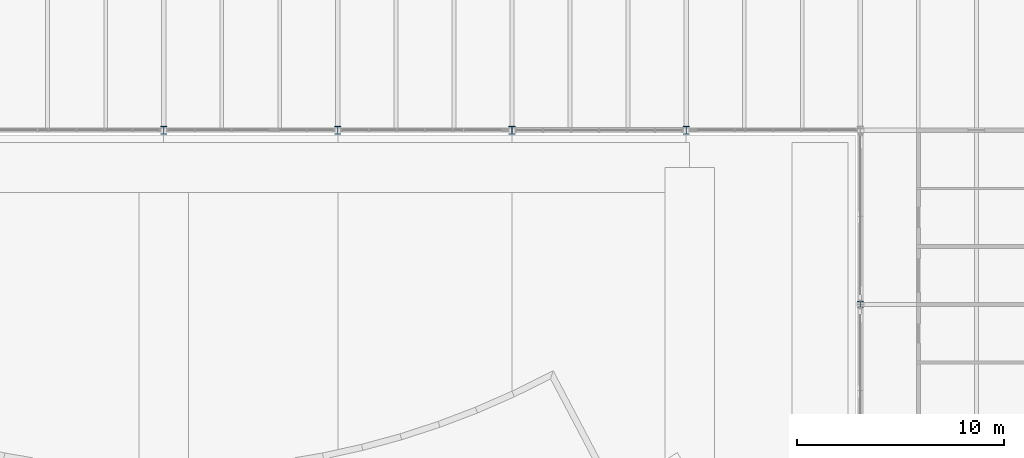
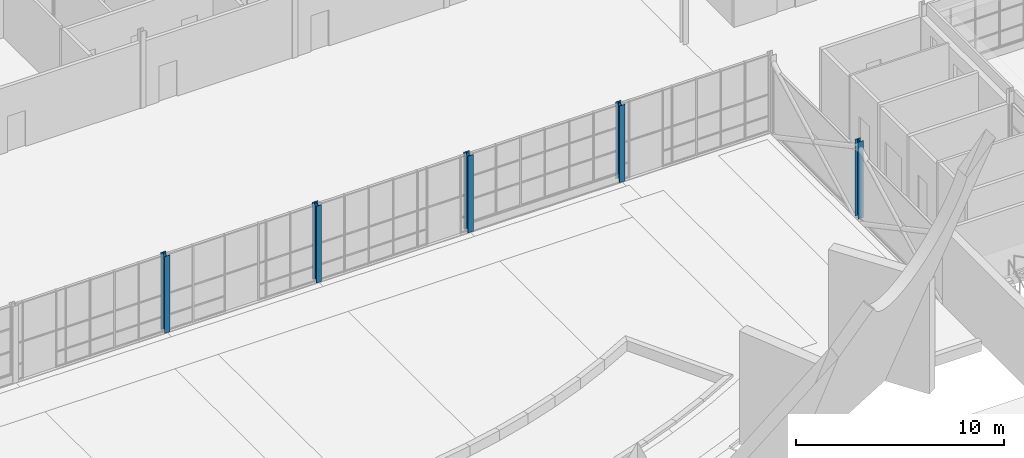
# One storey, part 11 of 116: 5 columns.
"""IFC4 building model written with IfcOpenShell, lengths in metres."""

from ifc_helpers import new_model, si_unit, direction, frame, origin, origin_2d, place, context, subcontext, project, spatial, i_section, extrude, material, material_profile, profile_set, type_object, element, save


model = new_model("IFC4")

# Units and contexts
model_context = context("Model", 3, precision=1e-05, world=origin(), true_north=direction((0.0, 1.0)))
body_context = subcontext(model_context, "Body", "Model", "MODEL_VIEW")
ifc_project = project(units=[si_unit("LENGTHUNIT", "METRE"), si_unit("AREAUNIT", "SQUARE_METRE"), si_unit("VOLUMEUNIT", "CUBIC_METRE"), si_unit("PLANEANGLEUNIT", "RADIAN"), si_unit("MASSUNIT", "GRAM", prefix="KILO")], contexts=[model_context])

# Site, building, storey
site_placement = place(None, origin())
site = spatial("IfcSite", under=ifc_project, at=site_placement, CompositionType="ELEMENT")
building_placement = place(site_placement, origin())
building = spatial("IfcBuilding", under=site, at=building_placement, Name="Ardhachandra Cancer Care Centre", CompositionType="ELEMENT")
storey_placement = place(building_placement, origin())
storey = spatial("IfcBuildingStorey", under=building, at=storey_placement, Name="L00", CompositionType="ELEMENT", Elevation=0.0)

# Columns
ifc_material_1 = material(Name="Steel E350 (IS 2062)", Category="steel")
ifc_material_profile_1 = material_profile(ifc_material_1, i_section(OverallWidth=0.300048828125, OverallDepth=0.2900390625, WebThickness=0.008544921875, FlangeThickness=0.013916015625, FilletRadius=0.027099609375, at=origin_2d()), Name="WPB 300x300x88.33")
ifc_profile_set_1 = profile_set([ifc_material_profile_1], Name="Steel E350 (IS 2062)")
column_type_1 = type_object("IfcColumnType", Name="Column WPB 300x300x88.33", PredefinedType="COLUMN", material=ifc_profile_set_1)
column_placement = place(storey_placement, frame((111.60009765625, 46.199951171875, 0.0), z_axis=(0.0, 0.0, 1.0), x_axis=(1.0, 0.0, 0.0)))
element("IfcColumn", 1, at=column_placement, inside=storey, type_object=column_type_1, Name="Column E13 L00", PredefinedType="COLUMN", context=body_context, shape_type="SweptSolid", body=[
    extrude(i_section(OverallWidth=0.300048828125, OverallDepth=0.2900390625, WebThickness=0.008544921875, FlangeThickness=0.013916015625, FilletRadius=0.027099609375, at=origin_2d()), origin(), (0.0, 0.0, 1.0), 4.5),
])
ifc_material_2 = material(Name="Steel E350 (IS 2062)", Category="steel")
ifc_material_profile_2 = material_profile(ifc_material_2, i_section(OverallWidth=0.300048828125, OverallDepth=0.39990234375, WebThickness=0.013427734375, FlangeThickness=0.02392578125, FilletRadius=0.027099609375, at=origin_2d()), Name="WPB 400x300x155.26")
ifc_profile_set_2 = profile_set([ifc_material_profile_2], Name="Steel E350 (IS 2062)")
column_type_2 = type_object("IfcColumnType", Name="Column WPB 400x300x155.26", PredefinedType="COLUMN", material=ifc_profile_set_2)
for number, where, z_axis, x_axis, name in (
    (2, (78.0, 54.60009765625, 0.0), (0.0, 0.0, 1.0), (1.0, 0.0, 0.0), "Column F9 L00"),
    (3, (86.39990234375, 54.60009765625, 0.0), (0.0, 0.0, 1.0), (1.0, 0.0, 0.0), "Column F10 L00"),
    (4, (94.800048828125, 54.60009765625, 0.0), (0.0, 0.0, 1.0), (1.0, 0.0, 0.0), "Column F11 L00"),
    (5, (103.199951171875, 54.60009765625, 0.0), (0.0, 0.0, 1.0), (1.0, 0.0, 0.0), "Column F12 L00"),
):
    element("IfcColumn", number, at=place(storey_placement, frame(where, z_axis=z_axis, x_axis=x_axis)), inside=storey, type_object=column_type_2, Name=name, PredefinedType="COLUMN", context=body_context, shape_type="SweptSolid", body=[
        extrude(i_section(OverallWidth=0.300048828125, OverallDepth=0.39990234375, WebThickness=0.013427734375, FlangeThickness=0.02392578125, FilletRadius=0.027099609375, at=origin_2d()), origin(), (0.0, 0.0, 1.0), 4.5),
    ])

save(model, "model.ifc")
